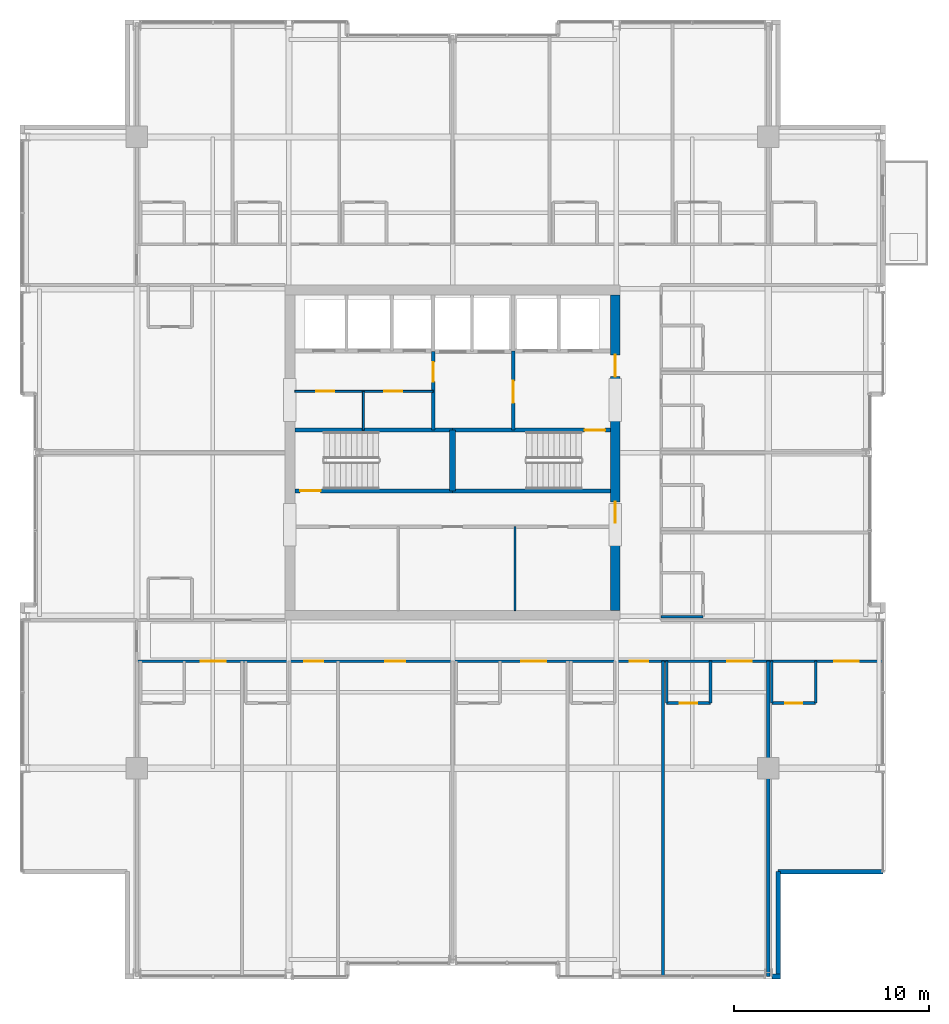
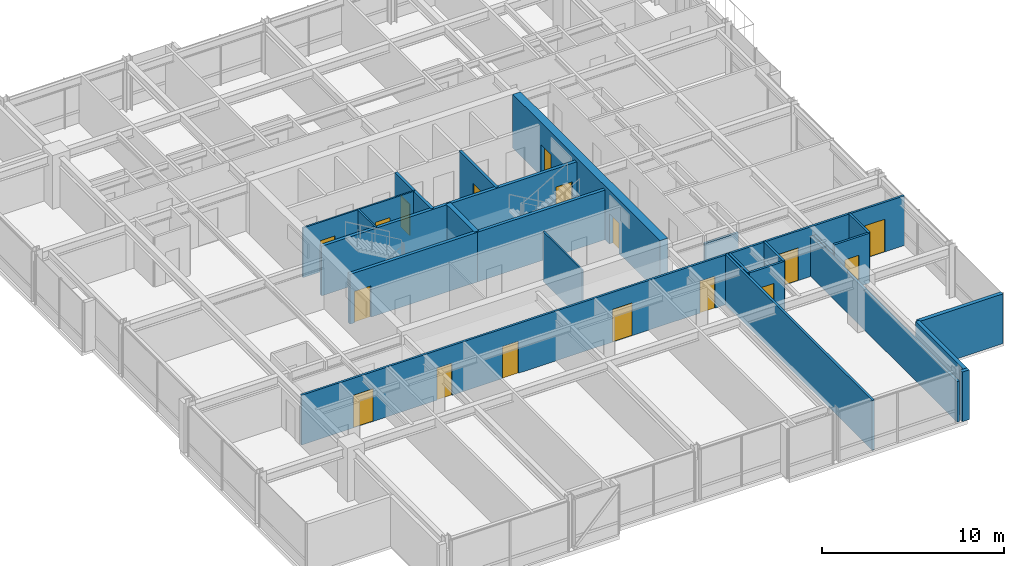
# One storey, part 28 of 34: 24 walls, 17 doors, 17 openings.
"""IFC4 building model written with IfcOpenShell, lengths in metres."""

from ifc_helpers import new_model, si_unit, direction, frame, frame_2d, origin, place, context, subcontext, project, spatial, rectangle, extrude, material, layer, layer_set, type_object, element, fill, save


model = new_model("IFC4")

# Units and contexts
model_context = context("Model", 3, precision=1e-05, world=origin(), true_north=direction((0.0, 1.0)))
body_context = subcontext(model_context, "Body", "Model", "MODEL_VIEW")
ifc_project = project(units=[si_unit("LENGTHUNIT", "METRE"), si_unit("AREAUNIT", "SQUARE_METRE"), si_unit("VOLUMEUNIT", "CUBIC_METRE"), si_unit("PLANEANGLEUNIT", "RADIAN"), si_unit("MASSUNIT", "GRAM", prefix="KILO")], contexts=[model_context])

# Site, building, storey
site_placement = place(None, origin())
site = spatial("IfcSite", under=ifc_project, at=site_placement, CompositionType="ELEMENT")
building_placement = place(site_placement, origin())
building = spatial("IfcBuilding", under=site, at=building_placement, Name="Drelvath Grand Hotel", CompositionType="ELEMENT")
storey_placement = place(building_placement, frame((0.0, 0.0, 208.699951171875)))
storey = spatial("IfcBuildingStorey", under=building, at=storey_placement, Name="L54", CompositionType="ELEMENT", Elevation=208.699951171875)

# Wall, openings, doors
ifc_material_1 = material(Name="Gypsum Partition Board")
ifc_layer_1 = layer(ifc_material_1, 0.10009765625)
ifc_layer_set_1 = layer_set([ifc_layer_1], Name="Gypsum Partition Board")
wall_type_1 = type_object("IfcWallType", Name="Core Closet Partition 100", PredefinedType="PARTITIONING", material=ifc_layer_set_1)
wall_1_placement = place(storey_placement, frame((-8.10009765625, 30.139892578125, 0.0), z_axis=(0.0, 0.0, 1.0), x_axis=(1.0, 0.0, 0.0)))
wall_1 = element("IfcWall", 1, at=wall_1_placement, inside=storey, type_object=wall_type_1, Name="L54 High-Rise Lobby Closet Wall", PredefinedType="PARTITIONING", context=body_context, shape_type="SweptSolid", body=[
    extrude(rectangle(XDim=7.10009765625, YDim=0.10009765625, at=frame_2d((3.550048828125, 0.0))), origin(), (0.0, 0.0, 1.0), 3.340087890625),
])
opening_1_placement = place(wall_1_placement, frame((1.10009765625, 0.0, 0.0)))
opening_1 = element("IfcOpeningElement", 2, at=opening_1_placement, cuts=wall_1, Name="Opening D-T4G1-013", PredefinedType="OPENING", context=body_context, shape_type="SweptSolid", body=[
    extrude(rectangle(XDim=0.919921875, YDim=2.10009765625, at=frame_2d((0.4599609375, 1.050048828125))), frame((0.0, 0.06005859375, 0.0), z_axis=(0.0, -1.0, 0.0), x_axis=(1.0, 0.0, 0.0)), (0.0, 0.0, 1.0), 0.1201171875),
])
opening_2_placement = place(wall_1_placement, frame((4.60009765625, 0.0, 0.0)))
opening_2 = element("IfcOpeningElement", 3, at=opening_2_placement, cuts=wall_1, Name="Opening D-T4G1-014", PredefinedType="OPENING", context=body_context, shape_type="SweptSolid", body=[
    extrude(rectangle(XDim=0.919921875, YDim=2.10009765625, at=frame_2d((0.4599609375, 1.050048828125))), frame((0.0, 0.06005859375, 0.0), z_axis=(0.0, -1.0, 0.0), x_axis=(1.0, 0.0, 0.0)), (0.0, 0.0, 1.0), 0.1201171875),
])
ifc_material_2 = material(Name="Painted Steel S275", Category="steel")
door_type_1 = type_object("IfcDoorType", Name="Staff Utility Door 920x2100", OperationType="NOTDEFINED", PredefinedType="DOOR", material=ifc_material_2)
door_1_placement = place(opening_1_placement, origin())
door_1 = element("IfcDoor", 4, at=door_1_placement, inside=storey, type_object=door_type_1, Name="L54 Electrical Closet Door", OperationType="SINGLE_SWING_RIGHT", OverallHeight=2.10009765625, OverallWidth=0.919921875, PredefinedType="DOOR", context=body_context, shape_type="SweptSolid", body=[
    extrude(rectangle(XDim=0.919921875, YDim=2.10009765625, at=frame_2d((0.4599609375, 1.050048828125))), frame((0.0, 0.02490234375, 0.0), z_axis=(0.0, -1.0, 0.0), x_axis=(1.0, 0.0, 0.0)), (0.0, 0.0, 1.0), 0.050048828125),
])
fill(opening_1, door_1)
door_2_placement = place(opening_2_placement, origin())
door_2 = element("IfcDoor", 5, at=door_2_placement, inside=storey, type_object=door_type_1, Name="L54 Telecom Room Door", OperationType="SINGLE_SWING_LEFT", OverallHeight=2.10009765625, OverallWidth=0.919921875, PredefinedType="DOOR", context=body_context, shape_type="SweptSolid", body=[
    extrude(rectangle(XDim=0.919921875, YDim=2.10009765625, at=frame_2d((0.4599609375, 1.050048828125))), frame((0.0, 0.02490234375, 0.0), z_axis=(0.0, -1.0, 0.0), x_axis=(1.0, 0.0, 0.0)), (0.0, 0.0, 1.0), 0.050048828125),
])
fill(opening_2, door_2)

# Walls
wall_2_placement = place(storey_placement, frame((-4.580078125, 28.159912109375, 0.0), z_axis=(0.0, 0.0, 1.0), x_axis=(0.0, 1.0, 0.0)))
element("IfcWall", 6, at=wall_2_placement, inside=storey, type_object=wall_type_1, Name="L54 Core Closet Split 1", PredefinedType="PARTITIONING", context=body_context, shape_type="SweptSolid", body=[
    extrude(rectangle(XDim=1.97998046875, YDim=0.10009765625, at=frame_2d((0.989990234375, 0.0))), origin(), (0.0, 0.0, 1.0), 3.340087890625),
])
wall_3_placement = place(storey_placement, frame((3.199951171875, 18.89990234375, 0.0), z_axis=(0.0, 0.0, 1.0), x_axis=(0.0, 1.0, 0.0)))
element("IfcWall", 7, at=wall_3_placement, inside=storey, type_object=wall_type_1, Name="L54 Upper Core Split 1B", PredefinedType="PARTITIONING", context=body_context, shape_type="SweptSolid", body=[
    extrude(rectangle(XDim=4.300048828125, YDim=0.10009765625, at=frame_2d((2.14990234375, 0.0))), origin(), (0.0, 0.0, 1.0), 3.340087890625),
])

# Wall, opening, door
ifc_material_3 = material(Name="Concrete C40/50", Category="concrete")
ifc_layer_2 = layer(ifc_material_3, 0.199951171875)
ifc_layer_set_2 = layer_set([ifc_layer_2], Name="Concrete C40/50")
wall_type_2 = type_object("IfcWallType", Name="Core Shaft Fire Wall 200", PredefinedType="SOLIDWALL", material=ifc_layer_set_2)
wall_4_placement = place(storey_placement, frame((-8.10009765625, 25.0400390625, 0.0), z_axis=(0.0, 0.0, 1.0), x_axis=(1.0, 0.0, 0.0)))
wall_4 = element("IfcWall", 8, at=wall_4_placement, inside=storey, type_object=wall_type_2, Name="L54 Stair ST-1 South Wall", PredefinedType="SOLIDWALL", context=body_context, shape_type="SweptSolid", body=[
    extrude(rectangle(XDim=8.10009765625, YDim=0.199951171875, at=frame_2d((4.050048828125, 0.0))), origin(), (0.0, 0.0, 1.0), 3.340087890625),
])
opening_3_placement = place(wall_4_placement, frame((0.280029296875, 0.0, 0.0)))
opening_3 = element("IfcOpeningElement", 9, at=opening_3_placement, cuts=wall_4, Name="Opening D-T4G1-001", PredefinedType="OPENING", context=body_context, shape_type="SweptSolid", body=[
    extrude(rectangle(XDim=1.050048828125, YDim=2.10009765625, at=frame_2d((0.52490234375, 1.050048828125))), frame((0.0, 0.10986328125, 0.0), z_axis=(0.0, -1.0, 0.0), x_axis=(1.0, 0.0, 0.0)), (0.0, 0.0, 1.0), 0.219970703125),
])
door_type_2 = type_object("IfcDoorType", Name="Tower Stairwell Fire Door 1050x2100", OperationType="NOTDEFINED", PredefinedType="DOOR", material=ifc_material_2)
door_3_placement = place(opening_3_placement, origin())
door_3 = element("IfcDoor", 10, at=door_3_placement, inside=storey, type_object=door_type_2, Name="L54 Exit Stair ST-1 Door", OperationType="SINGLE_SWING_LEFT", OverallHeight=2.10009765625, OverallWidth=1.050048828125, PredefinedType="DOOR", context=body_context, shape_type="SweptSolid", body=[
    extrude(rectangle(XDim=1.050048828125, YDim=2.10009765625, at=frame_2d((0.52490234375, 1.050048828125))), frame((0.0, 0.02490234375, 0.0), z_axis=(0.0, -1.0, 0.0), x_axis=(1.0, 0.0, 0.0)), (0.0, 0.0, 1.0), 0.050048828125),
])
fill(opening_3, door_3)

# Walls
for number, where, z_axis, x_axis, name in (
    (11, (-8.10009765625, 28.159912109375, 0.0), (0.0, 0.0, 1.0), (1.0, 0.0, 0.0), "L54 Stair ST-1 North Wall"),
    (12, (0.0, 25.0400390625, 0.0), (0.0, 0.0, 1.0), (1.0, 0.0, 0.0), "L54 Stair ST-2 South Wall"),
):
    element("IfcWall", number, at=place(storey_placement, frame(where, z_axis=z_axis, x_axis=x_axis)), inside=storey, type_object=wall_type_2, Name=name, PredefinedType="SOLIDWALL", context=body_context, shape_type="SweptSolid", body=[
        extrude(rectangle(XDim=8.10009765625, YDim=0.199951171875, at=frame_2d((4.050048828125, 0.0))), origin(), (0.0, 0.0, 1.0), 3.340087890625),
    ])

# Wall, opening, door
wall_5_placement = place(storey_placement, frame((8.10009765625, 28.159912109375, 0.0), z_axis=(0.0, 0.0, 1.0), x_axis=(-1.0, 0.0, 0.0)))
wall_5 = element("IfcWall", 13, at=wall_5_placement, inside=storey, type_object=wall_type_2, Name="L54 Stair ST-2 North Wall", PredefinedType="SOLIDWALL", context=body_context, shape_type="SweptSolid", body=[
    extrude(rectangle(XDim=8.10009765625, YDim=0.199951171875, at=frame_2d((4.050048828125, 0.0))), origin(), (0.0, 0.0, 1.0), 3.340087890625),
])
opening_4_placement = place(wall_5_placement, frame((0.280029296875, 0.0, 0.0)))
opening_4 = element("IfcOpeningElement", 14, at=opening_4_placement, cuts=wall_5, Name="Opening D-T4G1-002", PredefinedType="OPENING", context=body_context, shape_type="SweptSolid", body=[
    extrude(rectangle(XDim=1.050048828125, YDim=2.10009765625, at=frame_2d((0.52490234375, 1.050048828125))), frame((0.0, 0.10986328125, 0.0), z_axis=(0.0, -1.0, 0.0), x_axis=(1.0, 0.0, 0.0)), (0.0, 0.0, 1.0), 0.219970703125),
])
door_4_placement = place(opening_4_placement, origin())
door_4 = element("IfcDoor", 15, at=door_4_placement, inside=storey, type_object=door_type_2, Name="L54 Exit Stair ST-2 Door", OperationType="SINGLE_SWING_LEFT", OverallHeight=2.10009765625, OverallWidth=1.050048828125, PredefinedType="DOOR", context=body_context, shape_type="SweptSolid", body=[
    extrude(rectangle(XDim=1.050048828125, YDim=2.10009765625, at=frame_2d((0.52490234375, 1.050048828125))), frame((0.0, 0.02490234375, 0.0), z_axis=(0.0, -1.0, 0.0), x_axis=(1.0, 0.0, 0.0)), (0.0, 0.0, 1.0), 0.050048828125),
])
fill(opening_4, door_4)

# Wall
ifc_layer_3 = layer(ifc_material_3, 0.300048828125)
ifc_layer_set_3 = layer_set([ifc_layer_3], Name="Concrete C40/50")
wall_type_3 = type_object("IfcWallType", Name="Core Shaft Fire Wall 300", PredefinedType="SOLIDWALL", material=ifc_layer_set_3)
wall_6_placement = place(storey_placement, frame((0.0, 25.0400390625, 0.0), z_axis=(0.0, 0.0, 1.0), x_axis=(0.0, 1.0, 0.0)))
element("IfcWall", 16, at=wall_6_placement, inside=storey, type_object=wall_type_3, Name="L54 Core Stair Divider Wall", PredefinedType="SOLIDWALL", context=body_context, shape_type="SweptSolid", body=[
    extrude(rectangle(XDim=3.119873046875, YDim=0.300048828125, at=frame_2d((1.56005859375, 0.0))), origin(), (0.0, 0.0, 1.0), 3.340087890625),
])

# Wall, openings, doors
ifc_material_4 = material(Name="Gypsum Fireboard Partition")
ifc_layer_4 = layer(ifc_material_4, 0.135009765625)
ifc_layer_set_4 = layer_set([ifc_layer_4], Name="Gypsum Fireboard Partition")
wall_type_4 = type_object("IfcWallType", Name="Corridor Fire Barrier Wall 135", PredefinedType="PARTITIONING", material=ifc_layer_set_4)
wall_7_placement = place(storey_placement, frame((-16.199951171875, 16.300048828125, 0.0), z_axis=(0.0, 0.0, 1.0), x_axis=(1.0, 0.0, 0.0)))
wall_7 = element("IfcWall", 17, at=wall_7_placement, inside=storey, type_object=wall_type_4, Name="L54 South Cross-Gallery Wall", PredefinedType="PARTITIONING", context=body_context, shape_type="SweptSolid", body=[
    extrude(rectangle(XDim=38.280029296875, YDim=0.135009765625, at=frame_2d((19.14013671875, 0.0))), origin(), (0.0, 0.0, 1.0), 3.340087890625),
])
opening_5_placement = place(wall_7_placement, frame((35.784912109375, 0.0, 0.0)))
opening_5 = element("IfcOpeningElement", 18, at=opening_5_placement, cuts=wall_7, Name="Opening D-T4G1-022", PredefinedType="OPENING", context=body_context, shape_type="SweptSolid", body=[
    extrude(rectangle(XDim=1.260009765625, YDim=2.199951171875, at=frame_2d((0.6298828125, 1.10009765625))), frame((0.0, 0.077392578125, 0.0), z_axis=(0.0, -1.0, 0.0), x_axis=(1.0, 0.0, 0.0)), (0.0, 0.0, 1.0), 0.155029296875),
])
opening_6_placement = place(wall_7_placement, frame((3.284912109375, 0.0, 0.0)))
opening_6 = element("IfcOpeningElement", 19, at=opening_6_placement, cuts=wall_7, Name="Opening D-T4G1-026", PredefinedType="OPENING", context=body_context, shape_type="SweptSolid", body=[
    extrude(rectangle(XDim=1.260009765625, YDim=2.199951171875, at=frame_2d((0.6298828125, 1.10009765625))), frame((0.0, 0.077392578125, 0.0), z_axis=(0.0, -1.0, 0.0), x_axis=(1.0, 0.0, 0.0)), (0.0, 0.0, 1.0), 0.155029296875),
])
opening_7_placement = place(wall_7_placement, frame((8.589599609375, 0.0, 0.0)))
opening_7 = element("IfcOpeningElement", 20, at=opening_7_placement, cuts=wall_7, Name="Opening D-T4G1-028", PredefinedType="OPENING", context=body_context, shape_type="SweptSolid", body=[
    extrude(rectangle(XDim=0.9599609375, YDim=2.14990234375, at=frame_2d((0.47998046875, 1.074951171875))), frame((0.0, 0.077392578125, 0.0), z_axis=(0.0, -1.0, 0.0), x_axis=(1.0, 0.0, 0.0)), (0.0, 0.0, 1.0), 0.155029296875),
])
opening_8_placement = place(wall_7_placement, frame((12.744384765625, 0.0, 0.0)))
opening_8 = element("IfcOpeningElement", 21, at=opening_8_placement, cuts=wall_7, Name="Opening D-T4G1-029", PredefinedType="OPENING", context=body_context, shape_type="SweptSolid", body=[
    extrude(rectangle(XDim=1.02001953125, YDim=2.14990234375, at=frame_2d((0.510009765625, 1.074951171875))), frame((0.0, 0.077392578125, 0.0), z_axis=(0.0, -1.0, 0.0), x_axis=(1.0, 0.0, 0.0)), (0.0, 0.0, 1.0), 0.155029296875),
])
opening_9_placement = place(wall_7_placement, frame((19.73046875, 0.0, 0.0)))
opening_9 = element("IfcOpeningElement", 22, at=opening_9_placement, cuts=wall_7, Name="Opening D-T4G1-031", PredefinedType="OPENING", context=body_context, shape_type="SweptSolid", body=[
    extrude(rectangle(XDim=1.260009765625, YDim=2.199951171875, at=frame_2d((0.6298828125, 1.10009765625))), frame((0.0, 0.077392578125, 0.0), z_axis=(0.0, -1.0, 0.0), x_axis=(1.0, 0.0, 0.0)), (0.0, 0.0, 1.0), 0.155029296875),
])
opening_10_placement = place(wall_7_placement, frame((25.280517578125, 0.0, 0.0)))
opening_10 = element("IfcOpeningElement", 23, at=opening_10_placement, cuts=wall_7, Name="Opening D-T4G1-033", PredefinedType="OPENING", context=body_context, shape_type="SweptSolid", body=[
    extrude(rectangle(XDim=0.9599609375, YDim=2.14990234375, at=frame_2d((0.47998046875, 1.074951171875))), frame((0.0, 0.077392578125, 0.0), z_axis=(0.0, -1.0, 0.0), x_axis=(1.0, 0.0, 0.0)), (0.0, 0.0, 1.0), 0.155029296875),
])
opening_11_placement = place(wall_7_placement, frame((30.284912109375, 0.0, 0.0)))
opening_11 = element("IfcOpeningElement", 24, at=opening_11_placement, cuts=wall_7, Name="Opening D-T4G1-035", PredefinedType="OPENING", context=body_context, shape_type="SweptSolid", body=[
    extrude(rectangle(XDim=1.260009765625, YDim=2.199951171875, at=frame_2d((0.6298828125, 1.10009765625))), frame((0.0, 0.077392578125, 0.0), z_axis=(0.0, -1.0, 0.0), x_axis=(1.0, 0.0, 0.0)), (0.0, 0.0, 1.0), 0.155029296875),
])
ifc_material_5 = material(Name="Hardwood Walnut Timber", Category="wood")
door_type_3 = type_object("IfcDoorType", Name="Amenity Meeting Fire Door 1020x2150", OperationType="NOTDEFINED", PredefinedType="DOOR", material=ifc_material_5)
door_5_placement = place(opening_8_placement, origin())
door_5 = element("IfcDoor", 25, at=door_5_placement, inside=storey, type_object=door_type_3, Name="L54 Diplomatic Reception Lounge Entry Door", OperationType="SINGLE_SWING_RIGHT", OverallHeight=2.14990234375, OverallWidth=1.02001953125, PredefinedType="DOOR", context=body_context, shape_type="SweptSolid", body=[
    extrude(rectangle(XDim=1.02001953125, YDim=2.14990234375, at=frame_2d((0.510009765625, 1.074951171875))), frame((0.0, 0.02490234375, 0.0), z_axis=(0.0, -1.0, 0.0), x_axis=(1.0, 0.0, 0.0)), (0.0, 0.0, 1.0), 0.050048828125),
])
fill(opening_8, door_5)
door_type_4 = type_object("IfcDoorType", Name="Guestroom Entrance Fire Door 960x2150", OperationType="NOTDEFINED", PredefinedType="DOOR", material=ifc_material_5)
door_6_placement = place(opening_7_placement, origin())
door_6 = element("IfcDoor", 26, at=door_6_placement, inside=storey, type_object=door_type_4, Name="L54 Deluxe Guest Room Entry Door", OperationType="SINGLE_SWING_LEFT", OverallHeight=2.14990234375, OverallWidth=0.9599609375, PredefinedType="DOOR", context=body_context, shape_type="SweptSolid", body=[
    extrude(rectangle(XDim=0.9599609375, YDim=2.14990234375, at=frame_2d((0.47998046875, 1.074951171875))), frame((0.0, 0.02490234375, 0.0), z_axis=(0.0, -1.0, 0.0), x_axis=(1.0, 0.0, 0.0)), (0.0, 0.0, 1.0), 0.050048828125),
])
fill(opening_7, door_6)
door_7_placement = place(opening_10_placement, origin())
door_7 = element("IfcDoor", 27, at=door_7_placement, inside=storey, type_object=door_type_4, Name="L54 Deluxe Guest Room Entry Door", OperationType="SINGLE_SWING_RIGHT", OverallHeight=2.14990234375, OverallWidth=0.9599609375, PredefinedType="DOOR", context=body_context, shape_type="SweptSolid", body=[
    extrude(rectangle(XDim=0.9599609375, YDim=2.14990234375, at=frame_2d((0.47998046875, 1.074951171875))), frame((0.0, 0.02490234375, 0.0), z_axis=(0.0, -1.0, 0.0), x_axis=(1.0, 0.0, 0.0)), (0.0, 0.0, 1.0), 0.050048828125),
])
fill(opening_10, door_7)
door_type_5 = type_object("IfcDoorType", Name="Suite Entrance Fire Door 1260x2200", OperationType="NOTDEFINED", PredefinedType="DOOR", material=ifc_material_5)
door_8_placement = place(opening_5_placement, origin())
door_8 = element("IfcDoor", 28, at=door_8_placement, inside=storey, type_object=door_type_5, Name="L54 Diplomatic Suite Entry Door", OperationType="SINGLE_SWING_LEFT", OverallHeight=2.199951171875, OverallWidth=1.260009765625, PredefinedType="DOOR", context=body_context, shape_type="SweptSolid", body=[
    extrude(rectangle(XDim=1.260009765625, YDim=2.199951171875, at=frame_2d((0.6298828125, 1.10009765625))), frame((0.0, 0.02490234375, 0.0), z_axis=(0.0, -1.0, 0.0), x_axis=(1.0, 0.0, 0.0)), (0.0, 0.0, 1.0), 0.050048828125),
])
fill(opening_5, door_8)
door_9_placement = place(opening_6_placement, origin())
door_9 = element("IfcDoor", 29, at=door_9_placement, inside=storey, type_object=door_type_5, Name="L54 Diplomatic Suite Entry Door", OperationType="SINGLE_SWING_LEFT", OverallHeight=2.199951171875, OverallWidth=1.260009765625, PredefinedType="DOOR", context=body_context, shape_type="SweptSolid", body=[
    extrude(rectangle(XDim=1.260009765625, YDim=2.199951171875, at=frame_2d((0.6298828125, 1.10009765625))), frame((0.0, 0.02490234375, 0.0), z_axis=(0.0, -1.0, 0.0), x_axis=(1.0, 0.0, 0.0)), (0.0, 0.0, 1.0), 0.050048828125),
])
fill(opening_6, door_9)
door_10_placement = place(opening_9_placement, origin())
door_10 = element("IfcDoor", 30, at=door_10_placement, inside=storey, type_object=door_type_5, Name="L54 Diplomatic Suite Entry Door", OperationType="SINGLE_SWING_RIGHT", OverallHeight=2.199951171875, OverallWidth=1.260009765625, PredefinedType="DOOR", context=body_context, shape_type="SweptSolid", body=[
    extrude(rectangle(XDim=1.260009765625, YDim=2.199951171875, at=frame_2d((0.6298828125, 1.10009765625))), frame((0.0, 0.02490234375, 0.0), z_axis=(0.0, -1.0, 0.0), x_axis=(1.0, 0.0, 0.0)), (0.0, 0.0, 1.0), 0.050048828125),
])
fill(opening_9, door_10)
door_11_placement = place(opening_11_placement, origin())
door_11 = element("IfcDoor", 31, at=door_11_placement, inside=storey, type_object=door_type_5, Name="L54 Diplomatic Suite Entry Door", OperationType="SINGLE_SWING_RIGHT", OverallHeight=2.199951171875, OverallWidth=1.260009765625, PredefinedType="DOOR", context=body_context, shape_type="SweptSolid", body=[
    extrude(rectangle(XDim=1.260009765625, YDim=2.199951171875, at=frame_2d((0.6298828125, 1.10009765625))), frame((0.0, 0.02490234375, 0.0), z_axis=(0.0, -1.0, 0.0), x_axis=(1.0, 0.0, 0.0)), (0.0, 0.0, 1.0), 0.050048828125),
])
fill(opening_11, door_11)

# Walls
ifc_material_6 = material(Name="Moisture-Resistant Gypsum Board")
ifc_layer_5 = layer(ifc_material_6, 0.139892578125)
ifc_layer_set_5 = layer_set([ifc_layer_5], Name="Moisture-Resistant Gypsum Board")
wall_type_5 = type_object("IfcWallType", Name="En-Suite Plumbing Wall 140", PredefinedType="PLUMBINGWALL", material=ifc_layer_set_5)
wall_8_placement = place(storey_placement, frame((16.3798828125, 16.300048828125, 0.0), z_axis=(0.0, 0.0, 1.0), x_axis=(0.0, -1.0, 0.0)))
element("IfcWall", 32, at=wall_8_placement, inside=storey, type_object=wall_type_5, Name="L54 En-Suite Left Wall", PredefinedType="PLUMBINGWALL", context=body_context, shape_type="SweptSolid", body=[
    extrude(rectangle(XDim=2.150146484375, YDim=0.139892578125, at=frame_2d((1.0751953125, 0.0))), origin(), (0.0, 0.0, 1.0), 2.7138671875),
])
wall_9_placement = place(storey_placement, frame((18.6298828125, 16.300048828125, 0.0), z_axis=(0.0, 0.0, 1.0), x_axis=(0.0, -1.0, 0.0)))
element("IfcWall", 33, at=wall_9_placement, inside=storey, type_object=wall_type_5, Name="L54 En-Suite Right Wall", PredefinedType="PLUMBINGWALL", context=body_context, shape_type="SweptSolid", body=[
    extrude(rectangle(XDim=2.150146484375, YDim=0.139892578125, at=frame_2d((1.0751953125, 0.0))), origin(), (0.0, 0.0, 1.0), 3.340087890625),
])

# Wall, opening, door
wall_10_placement = place(storey_placement, frame((16.3798828125, 14.14990234375, 0.0), z_axis=(0.0, 0.0, 1.0), x_axis=(1.0, 0.0, 0.0)))
wall_10 = element("IfcWall", 34, at=wall_10_placement, inside=storey, type_object=wall_type_5, Name="L54 En-Suite Front Wall", PredefinedType="PLUMBINGWALL", context=body_context, shape_type="SweptSolid", body=[
    extrude(rectangle(XDim=2.25, YDim=0.139892578125, at=frame_2d((1.125, 0.0))), origin(), (0.0, 0.0, 1.0), 3.340087890625),
])
opening_12_placement = place(wall_10_placement, frame((0.68505859375, 0.0, 0.0)))
opening_12 = element("IfcOpeningElement", 35, at=opening_12_placement, cuts=wall_10, Name="Opening D-T4G1-021", PredefinedType="OPENING", context=body_context, shape_type="SweptSolid", body=[
    extrude(rectangle(XDim=0.8798828125, YDim=2.10009765625, at=frame_2d((0.43994140625, 1.050048828125))), frame((0.0, 0.079833984375, 0.0), z_axis=(0.0, -1.0, 0.0), x_axis=(1.0, 0.0, 0.0)), (0.0, 0.0, 1.0), 0.159912109375),
])
door_type_6 = type_object("IfcDoorType", Name="En-Suite Bathroom Door 880x2100", OperationType="NOTDEFINED", PredefinedType="DOOR", material=ifc_material_5)
door_12_placement = place(opening_12_placement, origin())
door_12 = element("IfcDoor", 36, at=door_12_placement, inside=storey, type_object=door_type_6, Name="L54 En-Suite Bathroom Door", OperationType="SINGLE_SWING_RIGHT", OverallHeight=2.10009765625, OverallWidth=0.8798828125, PredefinedType="DOOR", context=body_context, shape_type="SweptSolid", body=[
    extrude(rectangle(XDim=0.8798828125, YDim=2.10009765625, at=frame_2d((0.43994140625, 1.050048828125))), frame((0.0, 0.02490234375, 0.0), z_axis=(0.0, -1.0, 0.0), x_axis=(1.0, 0.0, 0.0)), (0.0, 0.0, 1.0), 0.050048828125),
])
fill(opening_12, door_12)

# Walls
for number, where, z_axis, x_axis, name in (
    (37, (10.97998046875, 16.300048828125, 0.0), (0.0, 0.0, 1.0), (0.0, -1.0, 0.0), "L54 En-Suite Left Wall"),
    (38, (13.22998046875, 16.300048828125, 0.0), (0.0, 0.0, 1.0), (0.0, -1.0, 0.0), "L54 En-Suite Right Wall"),
):
    element("IfcWall", number, at=place(storey_placement, frame(where, z_axis=z_axis, x_axis=x_axis)), inside=storey, type_object=wall_type_5, Name=name, PredefinedType="PLUMBINGWALL", context=body_context, shape_type="SweptSolid", body=[
        extrude(rectangle(XDim=2.150146484375, YDim=0.139892578125, at=frame_2d((1.0751953125, 0.0))), origin(), (0.0, 0.0, 1.0), 3.340087890625),
    ])

# Wall, opening, door
wall_11_placement = place(storey_placement, frame((10.97998046875, 14.14990234375, 0.0), z_axis=(0.0, 0.0, 1.0), x_axis=(1.0, 0.0, 0.0)))
wall_11 = element("IfcWall", 39, at=wall_11_placement, inside=storey, type_object=wall_type_5, Name="L54 En-Suite Front Wall", PredefinedType="PLUMBINGWALL", context=body_context, shape_type="SweptSolid", body=[
    extrude(rectangle(XDim=2.25, YDim=0.139892578125, at=frame_2d((1.125, 0.0))), origin(), (0.0, 0.0, 1.0), 3.340087890625),
])
opening_13_placement = place(wall_11_placement, frame((0.68505859375, 0.0, 0.0)))
opening_13 = element("IfcOpeningElement", 40, at=opening_13_placement, cuts=wall_11, Name="Opening D-T4G1-034", PredefinedType="OPENING", context=body_context, shape_type="SweptSolid", body=[
    extrude(rectangle(XDim=0.8798828125, YDim=2.10009765625, at=frame_2d((0.43994140625, 1.050048828125))), frame((0.0, 0.079833984375, 0.0), z_axis=(0.0, -1.0, 0.0), x_axis=(1.0, 0.0, 0.0)), (0.0, 0.0, 1.0), 0.159912109375),
])
door_13_placement = place(opening_13_placement, origin())
door_13 = element("IfcDoor", 41, at=door_13_placement, inside=storey, type_object=door_type_6, Name="L54 En-Suite Bathroom Door", OperationType="SINGLE_SWING_LEFT", OverallHeight=2.10009765625, OverallWidth=0.8798828125, PredefinedType="DOOR", context=body_context, shape_type="SweptSolid", body=[
    extrude(rectangle(XDim=0.8798828125, YDim=2.10009765625, at=frame_2d((0.43994140625, 1.050048828125))), frame((0.0, 0.02490234375, 0.0), z_axis=(0.0, -1.0, 0.0), x_axis=(1.0, 0.0, 0.0)), (0.0, 0.0, 1.0), 0.050048828125),
])
fill(opening_13, door_13)

# Wall
wall_12_placement = place(storey_placement, frame((10.699951171875, 18.580078125, 0.0), z_axis=(0.0, 0.0, 1.0), x_axis=(1.0, 0.0, 0.0)))
element("IfcWall", 42, at=wall_12_placement, inside=storey, type_object=wall_type_5, Name="L54 En-Suite Left Wall", PredefinedType="PLUMBINGWALL", context=body_context, shape_type="SweptSolid", body=[
    extrude(rectangle(XDim=2.150146484375, YDim=0.139892578125, at=frame_2d((1.0751953125, 0.0))), origin(), (0.0, 0.0, 1.0), 2.717529296875),
])

# Wall, opening, door
ifc_layer_6 = layer(ifc_material_4, 0.179931640625)
ifc_layer_set_6 = layer_set([ifc_layer_6], Name="Gypsum Fireboard Partition")
wall_type_6 = type_object("IfcWallType", Name="FSAE Smoke Lobby Fire Wall 180", PredefinedType="SOLIDWALL", material=ifc_layer_set_6)
wall_13_placement = place(storey_placement, frame((3.10009765625, 28.159912109375, 0.0), z_axis=(0.0, 0.0, 1.0), x_axis=(0.0, 1.0, 0.0)))
wall_13 = element("IfcWall", 43, at=wall_13_placement, inside=storey, type_object=wall_type_6, Name="L54 FSAE Smoke Lobby West Wall", PredefinedType="SOLIDWALL", context=body_context, shape_type="SweptSolid", body=[
    extrude(rectangle(XDim=4.06005859375, YDim=0.179931640625, at=frame_2d((2.030029296875, 0.0))), origin(), (0.0, 0.0, 1.0), 3.340087890625),
])
opening_14_placement = place(wall_13_placement, frame((1.39990234375, 0.0, 0.0)))
opening_14 = element("IfcOpeningElement", 44, at=opening_14_placement, cuts=wall_13, Name="Opening D-T4G1-005", PredefinedType="OPENING", context=body_context, shape_type="SweptSolid", body=[
    extrude(rectangle(XDim=1.1201171875, YDim=2.10009765625, at=frame_2d((0.56005859375, 1.050048828125))), frame((0.0, 0.099853515625, 0.0), z_axis=(0.0, -1.0, 0.0), x_axis=(1.0, 0.0, 0.0)), (0.0, 0.0, 1.0), 0.199951171875),
])
door_type_7 = type_object("IfcDoorType", Name="FSAE Smoke Lobby Fire Door 1120x2100", OperationType="NOTDEFINED", PredefinedType="DOOR", material=ifc_material_2)
door_14_placement = place(opening_14_placement, origin())
door_14 = element("IfcDoor", 45, at=door_14_placement, inside=storey, type_object=door_type_7, Name="L54 FSAE Lobby Service Vestibule Door", OperationType="SINGLE_SWING_RIGHT", OverallHeight=2.10009765625, OverallWidth=1.1201171875, PredefinedType="DOOR", context=body_context, shape_type="SweptSolid", body=[
    extrude(rectangle(XDim=1.1201171875, YDim=2.10009765625, at=frame_2d((0.56005859375, 1.050048828125))), frame((0.0, 0.02490234375, 0.0), z_axis=(0.0, -1.0, 0.0), x_axis=(1.0, 0.0, 0.0)), (0.0, 0.0, 1.0), 0.050048828125),
])
fill(opening_14, door_14)

wall_14_placement = place(storey_placement, frame((-1.0, 28.159912109375, 0.0), z_axis=(0.0, 0.0, 1.0), x_axis=(0.0, 1.0, 0.0)))
wall_14 = element("IfcWall", 46, at=wall_14_placement, inside=storey, type_object=wall_type_6, Name="L54 Service Vestibule West Wall", PredefinedType="SOLIDWALL", context=body_context, shape_type="SweptSolid", body=[
    extrude(rectangle(XDim=4.02001953125, YDim=0.179931640625, at=frame_2d((2.010009765625, 0.0))), origin(), (0.0, 0.0, 1.0), 3.340087890625),
])
opening_15_placement = place(wall_14_placement, frame((2.489990234375, 0.0, 0.0)))
opening_15 = element("IfcOpeningElement", 47, at=opening_15_placement, cuts=wall_14, Name="Opening D-T4G1-009", PredefinedType="OPENING", context=body_context, shape_type="SweptSolid", body=[
    extrude(rectangle(XDim=1.0, YDim=2.10009765625, at=frame_2d((0.5, 1.050048828125))), frame((0.0, 0.099853515625, 0.0), z_axis=(0.0, -1.0, 0.0), x_axis=(1.0, 0.0, 0.0)), (0.0, 0.0, 1.0), 0.199951171875),
])
door_type_8 = type_object("IfcDoorType", Name="Core Service Fire Door 1000x2100", OperationType="NOTDEFINED", PredefinedType="DOOR", material=ifc_material_2)
door_15_placement = place(opening_15_placement, origin())
door_15 = element("IfcDoor", 48, at=door_15_placement, inside=storey, type_object=door_type_8, Name="L54 Service Vestibule West Door", OperationType="SINGLE_SWING_LEFT", OverallHeight=2.10009765625, OverallWidth=1.0, PredefinedType="DOOR", context=body_context, shape_type="SweptSolid", body=[
    extrude(rectangle(XDim=1.0, YDim=2.10009765625, at=frame_2d((0.5, 1.050048828125))), frame((0.0, 0.02490234375, 0.0), z_axis=(0.0, -1.0, 0.0), x_axis=(1.0, 0.0, 0.0)), (0.0, 0.0, 1.0), 0.050048828125),
])
fill(opening_15, door_15)

# Walls
ifc_material_7 = material(Name="Gypsum Acoustic Partition")
ifc_layer_7 = layer(ifc_material_7, 0.14990234375)
ifc_layer_set_7 = layer_set([ifc_layer_7], Name="Gypsum Acoustic Partition")
wall_type_7 = type_object("IfcWallType", Name="Guestroom Demising Wall 150", PredefinedType="PARTITIONING", material=ifc_layer_set_7)
wall_15_placement = place(storey_placement, frame((10.800048828125, 0.1201171875, 0.0), z_axis=(0.0, 0.0, 1.0), x_axis=(0.0, 1.0, 0.0)))
element("IfcWall", 49, at=wall_15_placement, inside=storey, type_object=wall_type_7, Name="L54 South Demising 5", PredefinedType="PARTITIONING", context=body_context, shape_type="SweptSolid", body=[
    extrude(rectangle(XDim=16.179931640625, YDim=0.14990234375, at=frame_2d((8.08984375, 0.0))), origin(), (0.0, 0.0, 1.0), 3.340087890625),
])
ifc_layer_8 = layer(ifc_material_7, 0.1650390625)
ifc_layer_set_8 = layer_set([ifc_layer_8], Name="Gypsum Acoustic Partition")
wall_type_8 = type_object("IfcWallType", Name="Suite Demising Wall 165", PredefinedType="PARTITIONING", material=ifc_layer_set_8)
wall_16_placement = place(storey_placement, frame((16.199951171875, 0.1201171875, 0.0), z_axis=(0.0, 0.0, 1.0), x_axis=(0.0, 1.0, 0.0)))
element("IfcWall", 50, at=wall_16_placement, inside=storey, type_object=wall_type_8, Name="L54 SE Suite Wall", PredefinedType="PARTITIONING", context=body_context, shape_type="SweptSolid", body=[
    extrude(rectangle(XDim=16.179931640625, YDim=0.1650390625, at=frame_2d((8.08984375, 0.0))), origin(), (0.0, 0.0, 1.0), 2.7138671875),
])
ifc_material_8 = material(Name="Pale-Metal Insulated Aluminium Spandrel Assembly", Category="aluminium")
ifc_layer_9 = layer(ifc_material_8, 0.239990234375)
ifc_layer_set_9 = layer_set([ifc_layer_9], Name="Pale-Metal Insulated Aluminium Spandrel Assembly")
wall_type_9 = type_object("IfcWallType", Name="Tower Insulated Metal Spandrel Closure Wall 240", PredefinedType="STANDARD", material=ifc_layer_set_9)
wall_17_placement = place(storey_placement, frame((16.820068359375, 0.1201171875, 0.0), z_axis=(0.0, 0.0, 1.0), x_axis=(-1.0, 0.0, 0.0)))
element("IfcWall", 51, at=wall_17_placement, inside=storey, type_object=wall_type_9, Name="L54 Corner Pier Spandrel Wall SE3", PredefinedType="STANDARD", context=body_context, shape_type="SweptSolid", body=[
    extrude(rectangle(XDim=0.434814453125, YDim=0.239990234375, at=frame_2d((0.21728515625, 0.0))), origin(), (0.0, 0.0, 1.0), 3.340087890625),
])
wall_18_placement = place(storey_placement, frame((22.080078125, 5.5, 0.0), z_axis=(0.0, 0.0, 1.0), x_axis=(-1.0, 0.0, 0.0)))
element("IfcWall", 52, at=wall_18_placement, inside=storey, type_object=wall_type_9, Name="L54 Notched Corner Return Spandrel Wall CSE1", PredefinedType="STANDARD", context=body_context, shape_type="SweptSolid", body=[
    extrude(rectangle(XDim=5.380126953125, YDim=0.239990234375, at=frame_2d((2.68994140625, 0.0))), origin(), (0.0, 0.0, 1.0), 3.340087890625),
])
wall_19_placement = place(storey_placement, frame((16.699951171875, 5.5, 0.0), z_axis=(0.0, 0.0, 1.0), x_axis=(0.0, -1.0, 0.0)))
element("IfcWall", 53, at=wall_19_placement, inside=storey, type_object=wall_type_9, Name="L54 Notched Corner Return Spandrel Wall CSE2", PredefinedType="STANDARD", context=body_context, shape_type="SweptSolid", body=[
    extrude(rectangle(XDim=5.260009765625, YDim=0.239990234375, at=frame_2d((2.6298828125, 0.0))), origin(), (0.0, 0.0, 1.0), 3.340087890625),
])

# Wall, openings, doors
ifc_material_9 = material(Name="Concrete f'c 55 MPa", Category="concrete")
ifc_layer_10 = layer(ifc_material_9, 0.5)
ifc_layer_set_10 = layer_set([ifc_layer_10], Name="Concrete f'c 55 MPa")
wall_type_10 = type_object("IfcWallType", Name="Upper Core RC Shear Wall 500", PredefinedType="SHEAR", material=ifc_layer_set_10)
wall_20_placement = place(storey_placement, frame((8.35009765625, 35.10009765625, 0.0), z_axis=(0.0, 0.0, 1.0), x_axis=(0.0, -1.0, 0.0)))
wall_20 = element("IfcWall", 54, at=wall_20_placement, inside=storey, type_object=wall_type_10, Name="L54 Central Core Shear Wall E", PredefinedType="SHEAR", context=body_context, shape_type="SweptSolid", body=[
    extrude(rectangle(XDim=16.2001953125, YDim=0.5, at=frame_2d((8.10009765625, 0.0))), origin(), (0.0, 0.0, 1.0), 3.60009765625),
])
opening_16_placement = place(wall_20_placement, frame((3.080078125, 0.0, 0.0)))
opening_16 = element("IfcOpeningElement", 55, at=opening_16_placement, cuts=wall_20, Name="Opening D-T4G1-006", PredefinedType="OPENING", context=body_context, shape_type="SweptSolid", body=[
    extrude(rectangle(XDim=1.1201171875, YDim=2.10009765625, at=frame_2d((0.56005859375, 1.050048828125))), frame((0.0, 0.260009765625, 0.0), z_axis=(0.0, -1.0, 0.0), x_axis=(1.0, 0.0, 0.0)), (0.0, 0.0, 1.0), 0.52001953125),
])
opening_17_placement = place(wall_20_placement, frame((10.6201171875, 0.0, 0.0)))
opening_17 = element("IfcOpeningElement", 56, at=opening_17_placement, cuts=wall_20, Name="Opening D-T4G1-015", PredefinedType="OPENING", context=body_context, shape_type="SweptSolid", body=[
    extrude(rectangle(XDim=1.080078125, YDim=2.0400390625, at=frame_2d((0.5400390625, 1.02001953125))), frame((0.0, 0.260009765625, 0.0), z_axis=(0.0, -1.0, 0.0), x_axis=(1.0, 0.0, 0.0)), (0.0, 0.0, 1.0), 0.52001953125),
])
door_type_9 = type_object("IfcDoorType", Name="Core Corridor Fire Door 1080x2100", OperationType="NOTDEFINED", PredefinedType="DOOR", material=ifc_material_2)
door_16_placement = place(opening_17_placement, origin())
door_16 = element("IfcDoor", 57, at=door_16_placement, inside=storey, type_object=door_type_9, Name="L54 Core Passage East Door", OperationType="SINGLE_SWING_RIGHT", OverallHeight=2.0400390625, OverallWidth=1.080078125, PredefinedType="DOOR", context=body_context, shape_type="SweptSolid", body=[
    extrude(rectangle(XDim=1.080078125, YDim=2.0400390625, at=frame_2d((0.5400390625, 1.02001953125))), frame((0.0, 0.02490234375, 0.0), z_axis=(0.0, -1.0, 0.0), x_axis=(1.0, 0.0, 0.0)), (0.0, 0.0, 1.0), 0.050048828125),
])
fill(opening_17, door_16)
door_17_placement = place(opening_16_placement, origin())
door_17 = element("IfcDoor", 58, at=door_17_placement, inside=storey, type_object=door_type_7, Name="L54 FSAE Lobby East Corridor Door", OperationType="SINGLE_SWING_LEFT", OverallHeight=2.10009765625, OverallWidth=1.1201171875, PredefinedType="DOOR", context=body_context, shape_type="SweptSolid", body=[
    extrude(rectangle(XDim=1.1201171875, YDim=2.10009765625, at=frame_2d((0.56005859375, 1.050048828125))), frame((0.0, 0.02490234375, 0.0), z_axis=(0.0, -1.0, 0.0), x_axis=(1.0, 0.0, 0.0)), (0.0, 0.0, 1.0), 0.050048828125),
])
fill(opening_16, door_17)

save(model, "model.ifc")
